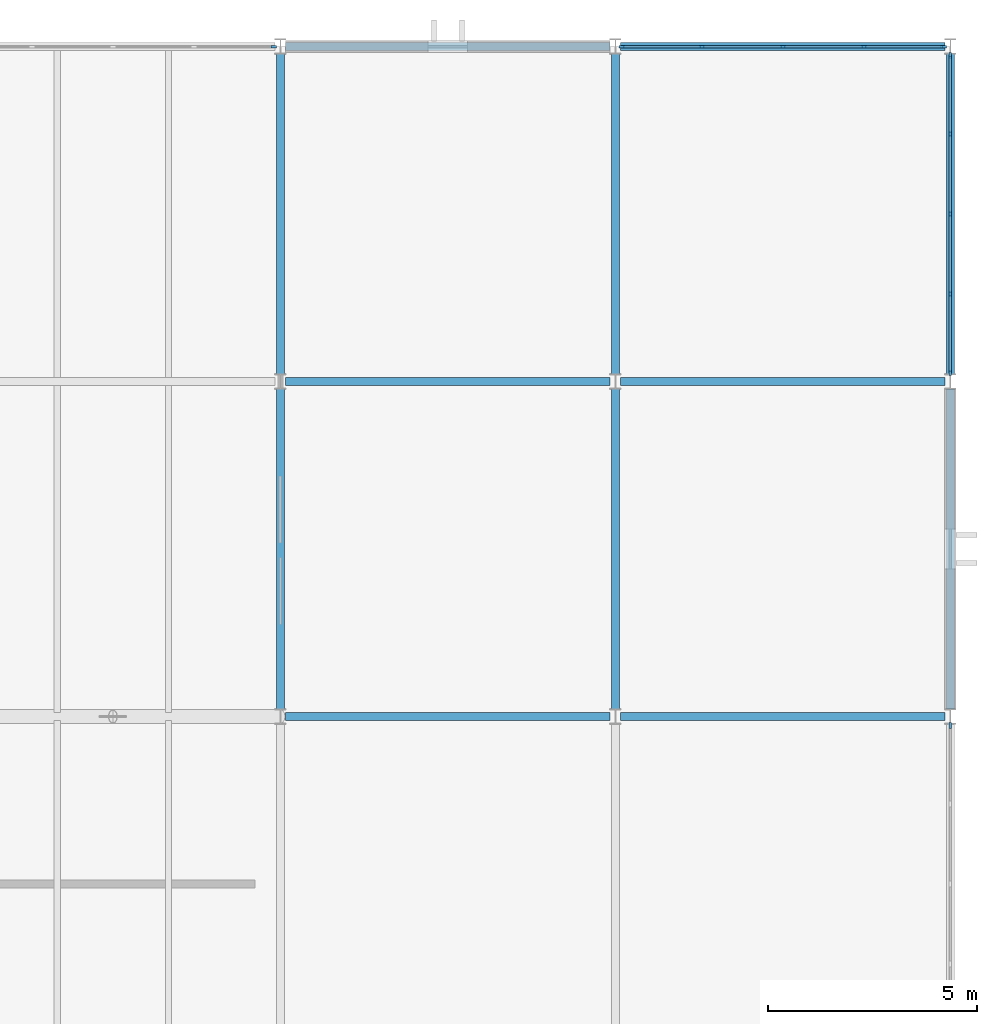
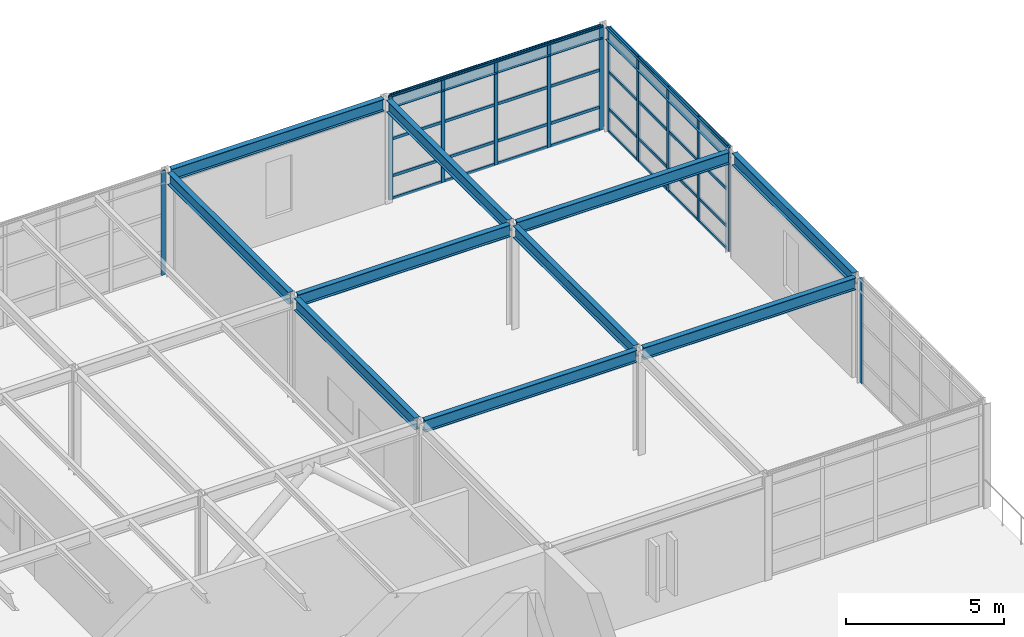
# One storey, part 14 of 21: 44 members, 12 beams, 4 elements without a shape of their own.
"""IFC4 building model written with IfcOpenShell, lengths in metres."""

import ifcopenshell
import ifcopenshell.guid

model = None  # the IFC model being written
_history = None  # IfcOwnerHistory: only IFC2X3 demands one
_inside = {}  # id of a spatial element -> (the spatial element, [elements in it])
_under = {}  # id of a project, library or spatial element -> (it, [spatial elements below it])
_declared = {}  # id of a project -> (the project, [libraries it declares])
_typed = {}  # id of a type object -> (the type object, [elements of that type])
_made_of = {}  # id of a material, layer set ... -> (it, [elements and type objects made of it])


def new_model(schema):
    """Start an empty IFC model of exactly this schema.

    Asked for "IFC4X3", IfcOpenShell would pick the latest addendum, in which some entities
    have other attributes; the version numbers below select the first issue.
    IFC2X3 requires an IfcOwnerHistory on every rooted entity: one is made here for all.
    """
    global model, _history
    if schema == "IFC4X3":
        model = ifcopenshell.file(schema_version=(4, 3, 0, 0))
    else:
        model = ifcopenshell.file(schema=schema)
    _inside.clear()
    _under.clear()
    _declared.clear()
    _typed.clear()
    _made_of.clear()
    _history = None
    if model.schema == "IFC2X3":
        org = make("IfcOrganization", Name="unknown")
        user = make(
            "IfcPersonAndOrganization",
            ThePerson=make("IfcPerson", FamilyName="unknown"),
            TheOrganization=org,
        )
        app = make(
            "IfcApplication",
            ApplicationDeveloper=org,
            Version="unknown",
            ApplicationFullName="unknown",
            ApplicationIdentifier="unknown",
        )
        _history = make(
            "IfcOwnerHistory",
            OwningUser=user,
            OwningApplication=app,
            ChangeAction="ADDED",
            CreationDate=0,
        )
    return model


def make(cls, **values):
    """One entity of the class cls with the attributes given. An attribute that is None is left unset."""
    return model.create_entity(
        cls, **{name: value for name, value in values.items() if value is not None}
    )


def rooted(cls, **values):
    """An entity with a GlobalId (a new one), such as an element, a storey or a relation."""
    return make(cls, GlobalId=ifcopenshell.guid.new(), OwnerHistory=_history, **values)


def si_unit(unit_type, name, prefix=None):
    """IfcSIUnit, for example si_unit("LENGTHUNIT", "METRE", prefix="MILLI")."""
    return make("IfcSIUnit", UnitType=unit_type, Prefix=prefix, Name=name)


def assignment(units):
    """IfcUnitAssignment: the units of a project."""
    return None if units is None else make("IfcUnitAssignment", Units=units)


def point(xyz):
    """IfcCartesianPoint."""
    return None if xyz is None else make("IfcCartesianPoint", Coordinates=xyz)


def direction(xyz):
    """IfcDirection."""
    return None if xyz is None else make("IfcDirection", DirectionRatios=xyz)


def frame(location, z_axis=None, x_axis=None):
    """IfcAxis2Placement3D, a coordinate frame: its origin and axes. An axis left out is left unset."""
    return make(
        "IfcAxis2Placement3D",
        Location=point(location),
        Axis=direction(z_axis),
        RefDirection=direction(x_axis),
    )


def frame_2d(location, x_axis=None):
    """IfcAxis2Placement2D, a coordinate frame in the plane: its origin and x axis."""
    return make(
        "IfcAxis2Placement2D", Location=point(location), RefDirection=direction(x_axis)
    )


def origin():
    """The frame at (0, 0, 0) with its axes left unset."""
    return frame((0.0, 0.0, 0.0))


def origin_2d():
    """The frame at (0, 0) in the plane with its x axis left unset."""
    return frame_2d((0.0, 0.0))


def place(relative_to, where):
    """IfcLocalPlacement: puts the frame where relative to a parent placement (None: the world)."""
    return make(
        "IfcLocalPlacement", PlacementRelTo=relative_to, RelativePlacement=where
    )


def context(
    kind, dimensions, precision=None, world=None, true_north=None, identifier=None
):
    """IfcGeometricRepresentationContext, for example the 3D "Model" context."""
    return make(
        "IfcGeometricRepresentationContext",
        ContextIdentifier=identifier,
        ContextType=kind,
        CoordinateSpaceDimension=dimensions,
        Precision=precision,
        WorldCoordinateSystem=world,
        TrueNorth=true_north,
    )


def subcontext(parent, identifier, kind, view, scale=None):
    """IfcGeometricRepresentationSubContext, for example "Body" below "Model"."""
    return make(
        "IfcGeometricRepresentationSubContext",
        ContextIdentifier=identifier,
        ContextType=kind,
        ParentContext=parent,
        TargetScale=scale,
        TargetView=view,
    )


def project(units=None, contexts=None):
    """IfcProject with its units and contexts."""
    return rooted(
        "IfcProject",
        Name="project",
        RepresentationContexts=contexts,
        UnitsInContext=assignment(units),
    )


def spatial(cls, under=None, at=None, **own):
    """A site, building, storey or space (cls), placed at a placement, below another one or the project."""
    s = rooted(cls, ObjectPlacement=at, **own)
    if under is not None:
        _under.setdefault(under.id(), (under, []))[1].append(s)
    return s


def profile(cls, at=None, kind="AREA", **sizes):
    """A parametric profile (cls). Its sizes go by their IFC names, for example OverallWidth=200.0."""
    return make(cls, ProfileType=kind, Position=at, **sizes)


def rectangle(**sizes):
    """IfcRectangleProfileDef."""
    return profile("IfcRectangleProfileDef", **sizes)


def i_section(**sizes):
    """IfcIShapeProfileDef."""
    return profile("IfcIShapeProfileDef", **sizes)


def extrude(swept, where, along, depth):
    """IfcExtrudedAreaSolid: the profile swept, set in the frame where, extruded along a direction by depth."""
    return make(
        "IfcExtrudedAreaSolid",
        SweptArea=swept,
        Position=where,
        ExtrudedDirection=direction(along),
        Depth=depth,
    )


def shape(context_of_items, identifier, shape_type, items):
    """IfcShapeRepresentation: the items that make up one representation, for example the "Body"."""
    return make(
        "IfcShapeRepresentation",
        ContextOfItems=context_of_items,
        RepresentationIdentifier=identifier,
        RepresentationType=shape_type,
        Items=items,
    )


def material(Name=None, Category=None):
    """IfcMaterial."""
    return make("IfcMaterial", Name=Name, Category=Category)


def layer(
    of_material, thickness, ventilated=None, Name=None, Category=None, Priority=None
):
    """IfcMaterialLayer: one layer of a wall or slab, of a material (None: an air gap)."""
    return make(
        "IfcMaterialLayer",
        Material=of_material,
        LayerThickness=thickness,
        IsVentilated=ventilated,
        Name=Name,
        Category=Category,
        Priority=Priority,
    )


def layer_set(layers, Name=None):
    """IfcMaterialLayerSet."""
    return make("IfcMaterialLayerSet", MaterialLayers=layers, LayerSetName=Name)


def material_profile(
    of_material, cross_section, Name=None, Category=None, Priority=None
):
    """IfcMaterialProfile: a cross section and its material."""
    return make(
        "IfcMaterialProfile",
        Name=Name,
        Material=of_material,
        Profile=cross_section,
        Priority=Priority,
        Category=Category,
    )


def profile_set(profiles, Name=None, composite=None):
    """IfcMaterialProfileSet."""
    return make(
        "IfcMaterialProfileSet",
        Name=Name,
        MaterialProfiles=profiles,
        CompositeProfile=composite,
    )


def made_of(thing, what):
    """Note that an element or type object is made of a material, layer set ...; save() writes the relation."""
    if what is not None:
        _made_of.setdefault(what.id(), (what, []))[1].append(thing)
    return thing


def type_object(cls, material=None, **own):
    """A type object (cls), such as IfcWallType, which elements share."""
    return made_of(rooted(cls, **own), material)


def element(
    cls,
    number,
    at=None,
    inside=None,
    cuts=None,
    type_object=None,
    material=None,
    context=None,
    identifier="Body",
    shape_type=None,
    held_by="IfcProductDefinitionShape",
    body=None,
    shapes=None,
    **own,
):
    """One element of the class cls, such as IfcWall. Its Tag is "e" and its number.

    at: its placement. inside: the storey or other place that contains it. cuts: it is an
    opening in that element (IfcRelVoidsElement). A single representation is given by context,
    identifier, shape_type and body (its items); several are given by shapes. held_by: the class
    of the entity that holds the representations. save() writes the other relations.
    """
    e = rooted(cls, Tag="e%d" % number, ObjectPlacement=at, **own)
    if body is not None:
        shapes = [shape(context, identifier, shape_type, body)]
    if shapes is not None:
        e.Representation = make(held_by, Representations=shapes)
    if inside is not None:
        _inside.setdefault(inside.id(), (inside, []))[1].append(e)
    if cuts is not None:
        rooted(
            "IfcRelVoidsElement", RelatingBuildingElement=cuts, RelatedOpeningElement=e
        )
    if type_object is not None:
        _typed.setdefault(type_object.id(), (type_object, []))[1].append(e)
    return made_of(e, material)


def aggregate(whole, parts):
    """IfcRelAggregates: a whole, such as a stair, and the parts it consists of."""
    return rooted("IfcRelAggregates", RelatingObject=whole, RelatedObjects=parts)


def save(model, path):
    """Write the relations noted so far, then the file.

    IfcRelAggregates (storeys below a building ...), IfcRelContainedInSpatialStructure (elements
    in a storey), IfcRelDefinesByType, IfcRelAssociatesMaterial and IfcRelDeclares: one each for
    every whole, place, type object, material and project.
    """
    for whole, parts in _under.values():
        aggregate(whole, parts)
    for where, things in _inside.values():
        rooted(
            "IfcRelContainedInSpatialStructure",
            RelatedElements=things,
            RelatingStructure=where,
        )
    for kind, things in _typed.values():
        rooted("IfcRelDefinesByType", RelatedObjects=things, RelatingType=kind)
    for what, things in _made_of.values():
        rooted("IfcRelAssociatesMaterial", RelatedObjects=things, RelatingMaterial=what)
    for by, libraries in _declared.values():
        rooted("IfcRelDeclares", RelatingContext=by, RelatedDefinitions=libraries)
    model.write(path)


model = new_model("IFC4")

# Units and contexts
model_context = context("Model", 3, precision=1e-05, world=origin(), true_north=direction((0.0, 1.0)))
body_context = subcontext(model_context, "Body", "Model", "MODEL_VIEW")
ifc_project = project(units=[si_unit("LENGTHUNIT", "METRE"), si_unit("AREAUNIT", "SQUARE_METRE"), si_unit("VOLUMEUNIT", "CUBIC_METRE"), si_unit("PLANEANGLEUNIT", "RADIAN"), si_unit("MASSUNIT", "GRAM", prefix="KILO")], contexts=[model_context])

# Site, building, storey
site_placement = place(None, origin())
site = spatial("IfcSite", under=ifc_project, at=site_placement, CompositionType="ELEMENT")
building_placement = place(site_placement, origin())
building = spatial("IfcBuilding", under=site, at=building_placement, Name="Varnela Railside Interchange", CompositionType="ELEMENT")
storey_placement = place(building_placement, frame((0.0, 0.0, 23.800048828125)))
storey = spatial("IfcBuildingStorey", under=building, at=storey_placement, Name="L05", CompositionType="ELEMENT", Elevation=23.800048828125)

# Beams
ifc_material_1 = material(Name="Steel AR 350 (350 MPa)", Category="steel")
ifc_material_profile_1 = material_profile(ifc_material_1, i_section(OverallWidth=0.19189453125, OverallDepth=0.462890625, WebThickness=0.010498046875, FlangeThickness=0.017578125, at=origin_2d()), Name="W460x89")
ifc_profile_set_1 = profile_set([ifc_material_profile_1], Name="Steel AR 350 (350 MPa)")
beam_type_1 = type_object("IfcBeamType", Name="Composite Primary Beam B-20", PredefinedType="BEAM", material=ifc_profile_set_1)
for number, where, z_axis, x_axis, name in (
    (1, (36.12841796875, 78.0, 3.788330078125), (1.0, 0.0, 0.0), (0.0, 1.0, 0.0), "Composite Primary Beam B-20 (L05) (BM-2588)"),
    (2, (36.12841796875, 86.0, 3.788330078125), (1.0, 0.0, 0.0), (0.0, 1.0, 0.0), "Composite Primary Beam B-20 (L05) (BM-2594)"),
):
    element("IfcBeam", number, at=place(storey_placement, frame(where, z_axis=z_axis, x_axis=x_axis)), inside=storey, type_object=beam_type_1, Name=name, PredefinedType="BEAM", context=body_context, shape_type="SweptSolid", body=[
        extrude(i_section(OverallWidth=0.19189453125, OverallDepth=0.462890625, WebThickness=0.010498046875, FlangeThickness=0.017578125, at=origin_2d()), origin(), (0.0, 0.0, 1.0), 7.7431640625),
    ])
ifc_material_profile_2 = material_profile(ifc_material_1, i_section(OverallWidth=0.18994140625, OverallDepth=0.45703125, WebThickness=0.009033203125, FlangeThickness=0.014404296875, at=origin_2d()), Name="W460x74")
ifc_profile_set_2 = profile_set([ifc_material_profile_2], Name="Steel AR 350 (350 MPa)")
beam_type_2 = type_object("IfcBeamType", Name="Composite Primary Beam B-21", PredefinedType="BEAM", material=ifc_profile_set_2)
for number, where, z_axis, x_axis, name in (
    (3, (36.0, 78.181396484375, 3.79150390625), (0.0, 1.0, 0.0), (-1.0, 0.0, 0.0), "Composite Primary Beam B-21 (L05) (BM-2624)"),
    (4, (44.0, 78.181396484375, 3.79150390625), (0.0, 1.0, 0.0), (-1.0, 0.0, 0.0), "Composite Primary Beam B-21 (L05) (BM-2627)"),
):
    element("IfcBeam", number, at=place(storey_placement, frame(where, z_axis=z_axis, x_axis=x_axis)), inside=storey, type_object=beam_type_2, Name=name, PredefinedType="BEAM", context=body_context, shape_type="SweptSolid", body=[
        extrude(i_section(OverallWidth=0.18994140625, OverallDepth=0.45703125, WebThickness=0.009033203125, FlangeThickness=0.014404296875, at=origin_2d()), origin(), (0.0, 0.0, 1.0), 7.63720703125),
    ])

# Curtain wall, member
ifc_material_2 = material(Name="Aluminium 6063-T6", Category="aluminium")
ifc_layer = layer(ifc_material_2, 0.035888671875)
ifc_layer_set = layer_set([ifc_layer], Name="Aluminium 6063-T6")
curtain_wall_type = type_object("IfcCurtainWallType", Name="Operations Wing Facade Curtain Wall CW-03", PredefinedType="USERDEFINED", material=ifc_layer_set)
curtain_wall_1_placement = place(storey_placement, origin())
curtain_wall_1 = element("IfcCurtainWall", 5, at=curtain_wall_1_placement, inside=storey, type_object=curtain_wall_type, Name="Curtain Wall CW-03 (L05) (CW-127)", ObjectType="CURTAIN WALL", PredefinedType="USERDEFINED")
ifc_material_profile_3 = material_profile(ifc_material_2, rectangle(XDim=0.06005859375, YDim=0.139892578125, at=origin_2d()), Name="ALU 60x140")
ifc_profile_set_3 = profile_set([ifc_material_profile_3], Name="Aluminium 6063-T6")
member_type_1 = type_object("IfcMemberType", Name="Curtain Wall Mullion ML-01", PredefinedType="MULLION", material=ifc_profile_set_3)
member_1_placement = place(storey_placement, frame((35.841552734375, 94.0, 0.0), z_axis=(0.0, 0.0, 1.0), x_axis=(0.0, 1.0, 0.0)))
member_1 = element("IfcMember", 6, at=member_1_placement, type_object=member_type_1, Name="CW-03 mullion 5", PredefinedType="MULLION", context=body_context, shape_type="SweptSolid", body=[
    extrude(rectangle(XDim=0.06005859375, YDim=0.139892578125, at=origin_2d()), origin(), (0.0, 0.0, 1.0), 4.02001953125),
])
aggregate(curtain_wall_1, [member_1])

# Curtain wall, members
curtain_wall_2_placement = place(storey_placement, origin())
curtain_wall_2 = element("IfcCurtainWall", 7, at=curtain_wall_2_placement, inside=storey, type_object=curtain_wall_type, Name="Curtain Wall CW-03 (L05) (CW-128)", ObjectType="CURTAIN WALL", PredefinedType="USERDEFINED")
member_2_placement = place(storey_placement, frame((44.158447265625, 94.0, 0.0), z_axis=(0.0, 0.0, 1.0), x_axis=(0.0, 1.0, 0.0)))
member_2 = element("IfcMember", 8, at=member_2_placement, type_object=member_type_1, Name="CW-03 mullion 1", PredefinedType="MULLION", context=body_context, shape_type="SweptSolid", body=[
    extrude(rectangle(XDim=0.06005859375, YDim=0.139892578125, at=origin_2d()), origin(), (0.0, 0.0, 1.0), 4.02001953125),
])
member_3_placement = place(storey_placement, frame((46.064208984375, 94.0, 0.0), z_axis=(0.0, 0.0, 1.0), x_axis=(0.0, 1.0, 0.0)))
member_3 = element("IfcMember", 9, at=member_3_placement, type_object=member_type_1, Name="CW-03 mullion 2", PredefinedType="MULLION", context=body_context, shape_type="SweptSolid", body=[
    extrude(rectangle(XDim=0.06005859375, YDim=0.139892578125, at=origin_2d()), origin(), (0.0, 0.0, 1.0), 4.02001953125),
])
member_4_placement = place(storey_placement, frame((48.0, 94.0, 0.0), z_axis=(0.0, 0.0, 1.0), x_axis=(0.0, 1.0, 0.0)))
member_4 = element("IfcMember", 10, at=member_4_placement, type_object=member_type_1, Name="CW-03 mullion 3", PredefinedType="MULLION", context=body_context, shape_type="SweptSolid", body=[
    extrude(rectangle(XDim=0.06005859375, YDim=0.139892578125, at=origin_2d()), origin(), (0.0, 0.0, 1.0), 4.02001953125),
])
member_5_placement = place(storey_placement, frame((49.935791015625, 94.0, 0.0), z_axis=(0.0, 0.0, 1.0), x_axis=(0.0, 1.0, 0.0)))
member_5 = element("IfcMember", 11, at=member_5_placement, type_object=member_type_1, Name="CW-03 mullion 4", PredefinedType="MULLION", context=body_context, shape_type="SweptSolid", body=[
    extrude(rectangle(XDim=0.06005859375, YDim=0.139892578125, at=origin_2d()), origin(), (0.0, 0.0, 1.0), 4.02001953125),
])
member_6_placement = place(storey_placement, frame((51.841552734375, 94.0, 0.0), z_axis=(0.0, 0.0, 1.0), x_axis=(0.0, 1.0, 0.0)))
member_6 = element("IfcMember", 12, at=member_6_placement, type_object=member_type_1, Name="CW-03 mullion 5", PredefinedType="MULLION", context=body_context, shape_type="SweptSolid", body=[
    extrude(rectangle(XDim=0.06005859375, YDim=0.139892578125, at=origin_2d()), origin(), (0.0, 0.0, 1.0), 4.02001953125),
])

curtain_wall_3_placement = place(storey_placement, origin())
curtain_wall_3 = element("IfcCurtainWall", 13, at=curtain_wall_3_placement, inside=storey, type_object=curtain_wall_type, Name="Curtain Wall CW-03 (L05) (CW-129)", ObjectType="CURTAIN WALL", PredefinedType="USERDEFINED")
member_7_placement = place(storey_placement, frame((52.0, 93.78857421875, 0.0), z_axis=(0.0, 0.0, 1.0), x_axis=(1.0, 0.0, 0.0)))
member_7 = element("IfcMember", 14, at=member_7_placement, type_object=member_type_1, Name="CW-03 mullion 1", PredefinedType="MULLION", context=body_context, shape_type="SweptSolid", body=[
    extrude(rectangle(XDim=0.06005859375, YDim=0.139892578125, at=origin_2d()), origin(), (0.0, 0.0, 1.0), 4.02001953125),
])
member_8_placement = place(storey_placement, frame((52.0, 91.9091796875, 0.0), z_axis=(0.0, 0.0, 1.0), x_axis=(1.0, 0.0, 0.0)))
member_8 = element("IfcMember", 15, at=member_8_placement, type_object=member_type_1, Name="CW-03 mullion 2", PredefinedType="MULLION", context=body_context, shape_type="SweptSolid", body=[
    extrude(rectangle(XDim=0.06005859375, YDim=0.139892578125, at=origin_2d()), origin(), (0.0, 0.0, 1.0), 4.02001953125),
])
member_9_placement = place(storey_placement, frame((52.0, 90.0, 0.0), z_axis=(0.0, 0.0, 1.0), x_axis=(1.0, 0.0, 0.0)))
member_9 = element("IfcMember", 16, at=member_9_placement, type_object=member_type_1, Name="CW-03 mullion 3", PredefinedType="MULLION", context=body_context, shape_type="SweptSolid", body=[
    extrude(rectangle(XDim=0.06005859375, YDim=0.139892578125, at=origin_2d()), origin(), (0.0, 0.0, 1.0), 4.02001953125),
])
member_10_placement = place(storey_placement, frame((52.0, 88.0908203125, 0.0), z_axis=(0.0, 0.0, 1.0), x_axis=(1.0, 0.0, 0.0)))
member_10 = element("IfcMember", 17, at=member_10_placement, type_object=member_type_1, Name="CW-03 mullion 4", PredefinedType="MULLION", context=body_context, shape_type="SweptSolid", body=[
    extrude(rectangle(XDim=0.06005859375, YDim=0.139892578125, at=origin_2d()), origin(), (0.0, 0.0, 1.0), 4.02001953125),
])
member_11_placement = place(storey_placement, frame((52.0, 86.21142578125, 0.0), z_axis=(0.0, 0.0, 1.0), x_axis=(1.0, 0.0, 0.0)))
member_11 = element("IfcMember", 18, at=member_11_placement, type_object=member_type_1, Name="CW-03 mullion 5", PredefinedType="MULLION", context=body_context, shape_type="SweptSolid", body=[
    extrude(rectangle(XDim=0.06005859375, YDim=0.139892578125, at=origin_2d()), origin(), (0.0, 0.0, 1.0), 4.02001953125),
])

# Curtain wall, member
curtain_wall_4_placement = place(storey_placement, origin())
curtain_wall_4 = element("IfcCurtainWall", 19, at=curtain_wall_4_placement, inside=storey, type_object=curtain_wall_type, Name="Curtain Wall CW-03 (L05) (CW-130)", ObjectType="CURTAIN WALL", PredefinedType="USERDEFINED")
member_12_placement = place(storey_placement, frame((52.0, 77.78857421875, 0.0), z_axis=(0.0, 0.0, 1.0), x_axis=(1.0, 0.0, 0.0)))
member_12 = element("IfcMember", 20, at=member_12_placement, type_object=member_type_1, Name="CW-03 mullion 1", PredefinedType="MULLION", context=body_context, shape_type="SweptSolid", body=[
    extrude(rectangle(XDim=0.06005859375, YDim=0.139892578125, at=origin_2d()), origin(), (0.0, 0.0, 1.0), 4.02001953125),
])
aggregate(curtain_wall_4, [member_12])

# Member
ifc_material_profile_4 = material_profile(ifc_material_2, rectangle(XDim=0.06005859375, YDim=0.110107421875, at=origin_2d()), Name="ALU 60x110")
ifc_profile_set_4 = profile_set([ifc_material_profile_4], Name="Aluminium 6063-T6")
member_type_2 = type_object("IfcMemberType", Name="Curtain Wall Transom TR-01", PredefinedType="USERDEFINED", material=ifc_profile_set_4)
member_13_placement = place(storey_placement, frame((44.1884765625, 94.0, 0.030029296875), z_axis=(1.0, 0.0, 0.0), x_axis=(0.0, 1.0, 0.0)))
member_13 = element("IfcMember", 21, at=member_13_placement, type_object=member_type_2, Name="CW-03 transom 1.1", ObjectType="TRANSOM", PredefinedType="USERDEFINED", context=body_context, shape_type="SweptSolid", body=[
    extrude(rectangle(XDim=0.06005859375, YDim=0.110107421875, at=origin_2d()), origin(), (0.0, 0.0, 1.0), 1.845703125),
])

member_14_placement = place(storey_placement, frame((44.1884765625, 94.0, 0.89990234375), z_axis=(1.0, 0.0, 0.0), x_axis=(0.0, 1.0, 0.0)))
member_14 = element("IfcMember", 22, at=member_14_placement, type_object=member_type_2, Name="CW-03 transom 1.2", ObjectType="TRANSOM", PredefinedType="USERDEFINED", context=body_context, shape_type="SweptSolid", body=[
    extrude(rectangle(XDim=0.06005859375, YDim=0.110107421875, at=origin_2d()), origin(), (0.0, 0.0, 1.0), 1.845703125),
])

member_15_placement = place(storey_placement, frame((44.1884765625, 94.0, 2.33154296875), z_axis=(1.0, 0.0, 0.0), x_axis=(0.0, 1.0, 0.0)))
member_15 = element("IfcMember", 23, at=member_15_placement, type_object=member_type_2, Name="CW-03 transom 1.3", ObjectType="TRANSOM", PredefinedType="USERDEFINED", context=body_context, shape_type="SweptSolid", body=[
    extrude(rectangle(XDim=0.06005859375, YDim=0.110107421875, at=origin_2d()), origin(), (0.0, 0.0, 1.0), 1.845703125),
])

member_16_placement = place(storey_placement, frame((44.1884765625, 94.0, 3.989990234375), z_axis=(1.0, 0.0, 0.0), x_axis=(0.0, 1.0, 0.0)))
member_16 = element("IfcMember", 24, at=member_16_placement, type_object=member_type_2, Name="CW-03 transom 1.4", ObjectType="TRANSOM", PredefinedType="USERDEFINED", context=body_context, shape_type="SweptSolid", body=[
    extrude(rectangle(XDim=0.06005859375, YDim=0.110107421875, at=origin_2d()), origin(), (0.0, 0.0, 1.0), 1.845703125),
])

member_17_placement = place(storey_placement, frame((46.09423828125, 94.0, 0.030029296875), z_axis=(1.0, 0.0, 0.0), x_axis=(0.0, 1.0, 0.0)))
member_17 = element("IfcMember", 25, at=member_17_placement, type_object=member_type_2, Name="CW-03 transom 2.1", ObjectType="TRANSOM", PredefinedType="USERDEFINED", context=body_context, shape_type="SweptSolid", body=[
    extrude(rectangle(XDim=0.06005859375, YDim=0.110107421875, at=origin_2d()), origin(), (0.0, 0.0, 1.0), 1.875732421875),
])

member_18_placement = place(storey_placement, frame((46.09423828125, 94.0, 0.89990234375), z_axis=(1.0, 0.0, 0.0), x_axis=(0.0, 1.0, 0.0)))
member_18 = element("IfcMember", 26, at=member_18_placement, type_object=member_type_2, Name="CW-03 transom 2.2", ObjectType="TRANSOM", PredefinedType="USERDEFINED", context=body_context, shape_type="SweptSolid", body=[
    extrude(rectangle(XDim=0.06005859375, YDim=0.110107421875, at=origin_2d()), origin(), (0.0, 0.0, 1.0), 1.875732421875),
])

member_19_placement = place(storey_placement, frame((46.09423828125, 94.0, 2.33154296875), z_axis=(1.0, 0.0, 0.0), x_axis=(0.0, 1.0, 0.0)))
member_19 = element("IfcMember", 27, at=member_19_placement, type_object=member_type_2, Name="CW-03 transom 2.3", ObjectType="TRANSOM", PredefinedType="USERDEFINED", context=body_context, shape_type="SweptSolid", body=[
    extrude(rectangle(XDim=0.06005859375, YDim=0.110107421875, at=origin_2d()), origin(), (0.0, 0.0, 1.0), 1.875732421875),
])

member_20_placement = place(storey_placement, frame((46.09423828125, 94.0, 3.989990234375), z_axis=(1.0, 0.0, 0.0), x_axis=(0.0, 1.0, 0.0)))
member_20 = element("IfcMember", 28, at=member_20_placement, type_object=member_type_2, Name="CW-03 transom 2.4", ObjectType="TRANSOM", PredefinedType="USERDEFINED", context=body_context, shape_type="SweptSolid", body=[
    extrude(rectangle(XDim=0.06005859375, YDim=0.110107421875, at=origin_2d()), origin(), (0.0, 0.0, 1.0), 1.875732421875),
])

member_21_placement = place(storey_placement, frame((48.030029296875, 94.0, 0.030029296875), z_axis=(1.0, 0.0, 0.0), x_axis=(0.0, 1.0, 0.0)))
member_21 = element("IfcMember", 29, at=member_21_placement, type_object=member_type_2, Name="CW-03 transom 3.1", ObjectType="TRANSOM", PredefinedType="USERDEFINED", context=body_context, shape_type="SweptSolid", body=[
    extrude(rectangle(XDim=0.06005859375, YDim=0.110107421875, at=origin_2d()), origin(), (0.0, 0.0, 1.0), 1.875732421875),
])

member_22_placement = place(storey_placement, frame((48.030029296875, 94.0, 0.89990234375), z_axis=(1.0, 0.0, 0.0), x_axis=(0.0, 1.0, 0.0)))
member_22 = element("IfcMember", 30, at=member_22_placement, type_object=member_type_2, Name="CW-03 transom 3.2", ObjectType="TRANSOM", PredefinedType="USERDEFINED", context=body_context, shape_type="SweptSolid", body=[
    extrude(rectangle(XDim=0.06005859375, YDim=0.110107421875, at=origin_2d()), origin(), (0.0, 0.0, 1.0), 1.875732421875),
])

member_23_placement = place(storey_placement, frame((48.030029296875, 94.0, 2.33154296875), z_axis=(1.0, 0.0, 0.0), x_axis=(0.0, 1.0, 0.0)))
member_23 = element("IfcMember", 31, at=member_23_placement, type_object=member_type_2, Name="CW-03 transom 3.3", ObjectType="TRANSOM", PredefinedType="USERDEFINED", context=body_context, shape_type="SweptSolid", body=[
    extrude(rectangle(XDim=0.06005859375, YDim=0.110107421875, at=origin_2d()), origin(), (0.0, 0.0, 1.0), 1.875732421875),
])

member_24_placement = place(storey_placement, frame((48.030029296875, 94.0, 3.989990234375), z_axis=(1.0, 0.0, 0.0), x_axis=(0.0, 1.0, 0.0)))
member_24 = element("IfcMember", 32, at=member_24_placement, type_object=member_type_2, Name="CW-03 transom 3.4", ObjectType="TRANSOM", PredefinedType="USERDEFINED", context=body_context, shape_type="SweptSolid", body=[
    extrude(rectangle(XDim=0.06005859375, YDim=0.110107421875, at=origin_2d()), origin(), (0.0, 0.0, 1.0), 1.875732421875),
])

member_25_placement = place(storey_placement, frame((49.9658203125, 94.0, 0.030029296875), z_axis=(1.0, 0.0, 0.0), x_axis=(0.0, 1.0, 0.0)))
member_25 = element("IfcMember", 33, at=member_25_placement, type_object=member_type_2, Name="CW-03 transom 4.1", ObjectType="TRANSOM", PredefinedType="USERDEFINED", context=body_context, shape_type="SweptSolid", body=[
    extrude(rectangle(XDim=0.06005859375, YDim=0.110107421875, at=origin_2d()), origin(), (0.0, 0.0, 1.0), 1.845703125),
])

member_26_placement = place(storey_placement, frame((49.9658203125, 94.0, 0.89990234375), z_axis=(1.0, 0.0, 0.0), x_axis=(0.0, 1.0, 0.0)))
member_26 = element("IfcMember", 34, at=member_26_placement, type_object=member_type_2, Name="CW-03 transom 4.2", ObjectType="TRANSOM", PredefinedType="USERDEFINED", context=body_context, shape_type="SweptSolid", body=[
    extrude(rectangle(XDim=0.06005859375, YDim=0.110107421875, at=origin_2d()), origin(), (0.0, 0.0, 1.0), 1.845703125),
])

member_27_placement = place(storey_placement, frame((49.9658203125, 94.0, 2.33154296875), z_axis=(1.0, 0.0, 0.0), x_axis=(0.0, 1.0, 0.0)))
member_27 = element("IfcMember", 35, at=member_27_placement, type_object=member_type_2, Name="CW-03 transom 4.3", ObjectType="TRANSOM", PredefinedType="USERDEFINED", context=body_context, shape_type="SweptSolid", body=[
    extrude(rectangle(XDim=0.06005859375, YDim=0.110107421875, at=origin_2d()), origin(), (0.0, 0.0, 1.0), 1.845703125),
])

member_28_placement = place(storey_placement, frame((49.9658203125, 94.0, 3.989990234375), z_axis=(1.0, 0.0, 0.0), x_axis=(0.0, 1.0, 0.0)))
member_28 = element("IfcMember", 36, at=member_28_placement, type_object=member_type_2, Name="CW-03 transom 4.4", ObjectType="TRANSOM", PredefinedType="USERDEFINED", context=body_context, shape_type="SweptSolid", body=[
    extrude(rectangle(XDim=0.06005859375, YDim=0.110107421875, at=origin_2d()), origin(), (0.0, 0.0, 1.0), 1.845703125),
])

aggregate(curtain_wall_2, [member_2, member_3, member_4, member_5, member_6, member_13, member_14, member_15, member_16, member_17, member_18, member_19, member_20, member_21, member_22, member_23, member_24, member_25, member_26, member_27, member_28])

member_29_placement = place(storey_placement, frame((52.0, 93.758544921875, 0.030029296875), z_axis=(0.0, -1.0, 0.0), x_axis=(1.0, 0.0, 0.0)))
member_29 = element("IfcMember", 37, at=member_29_placement, type_object=member_type_2, Name="CW-03 transom 1.1", ObjectType="TRANSOM", PredefinedType="USERDEFINED", context=body_context, shape_type="SweptSolid", body=[
    extrude(rectangle(XDim=0.06005859375, YDim=0.110107421875, at=origin_2d()), origin(), (0.0, 0.0, 1.0), 1.8193359375),
])

member_30_placement = place(storey_placement, frame((52.0, 93.758544921875, 0.89990234375), z_axis=(0.0, -1.0, 0.0), x_axis=(1.0, 0.0, 0.0)))
member_30 = element("IfcMember", 38, at=member_30_placement, type_object=member_type_2, Name="CW-03 transom 1.2", ObjectType="TRANSOM", PredefinedType="USERDEFINED", context=body_context, shape_type="SweptSolid", body=[
    extrude(rectangle(XDim=0.06005859375, YDim=0.110107421875, at=origin_2d()), origin(), (0.0, 0.0, 1.0), 1.8193359375),
])

member_31_placement = place(storey_placement, frame((52.0, 93.758544921875, 2.33154296875), z_axis=(0.0, -1.0, 0.0), x_axis=(1.0, 0.0, 0.0)))
member_31 = element("IfcMember", 39, at=member_31_placement, type_object=member_type_2, Name="CW-03 transom 1.3", ObjectType="TRANSOM", PredefinedType="USERDEFINED", context=body_context, shape_type="SweptSolid", body=[
    extrude(rectangle(XDim=0.06005859375, YDim=0.110107421875, at=origin_2d()), origin(), (0.0, 0.0, 1.0), 1.8193359375),
])

member_32_placement = place(storey_placement, frame((52.0, 93.758544921875, 3.989990234375), z_axis=(0.0, -1.0, 0.0), x_axis=(1.0, 0.0, 0.0)))
member_32 = element("IfcMember", 40, at=member_32_placement, type_object=member_type_2, Name="CW-03 transom 1.4", ObjectType="TRANSOM", PredefinedType="USERDEFINED", context=body_context, shape_type="SweptSolid", body=[
    extrude(rectangle(XDim=0.06005859375, YDim=0.110107421875, at=origin_2d()), origin(), (0.0, 0.0, 1.0), 1.8193359375),
])

member_33_placement = place(storey_placement, frame((52.0, 91.879150390625, 0.030029296875), z_axis=(0.0, -1.0, 0.0), x_axis=(1.0, 0.0, 0.0)))
member_33 = element("IfcMember", 41, at=member_33_placement, type_object=member_type_2, Name="CW-03 transom 2.1", ObjectType="TRANSOM", PredefinedType="USERDEFINED", context=body_context, shape_type="SweptSolid", body=[
    extrude(rectangle(XDim=0.06005859375, YDim=0.110107421875, at=origin_2d()), origin(), (0.0, 0.0, 1.0), 1.84912109375),
])

member_34_placement = place(storey_placement, frame((52.0, 91.879150390625, 0.89990234375), z_axis=(0.0, -1.0, 0.0), x_axis=(1.0, 0.0, 0.0)))
member_34 = element("IfcMember", 42, at=member_34_placement, type_object=member_type_2, Name="CW-03 transom 2.2", ObjectType="TRANSOM", PredefinedType="USERDEFINED", context=body_context, shape_type="SweptSolid", body=[
    extrude(rectangle(XDim=0.06005859375, YDim=0.110107421875, at=origin_2d()), origin(), (0.0, 0.0, 1.0), 1.84912109375),
])

member_35_placement = place(storey_placement, frame((52.0, 91.879150390625, 2.33154296875), z_axis=(0.0, -1.0, 0.0), x_axis=(1.0, 0.0, 0.0)))
member_35 = element("IfcMember", 43, at=member_35_placement, type_object=member_type_2, Name="CW-03 transom 2.3", ObjectType="TRANSOM", PredefinedType="USERDEFINED", context=body_context, shape_type="SweptSolid", body=[
    extrude(rectangle(XDim=0.06005859375, YDim=0.110107421875, at=origin_2d()), origin(), (0.0, 0.0, 1.0), 1.84912109375),
])

member_36_placement = place(storey_placement, frame((52.0, 91.879150390625, 3.989990234375), z_axis=(0.0, -1.0, 0.0), x_axis=(1.0, 0.0, 0.0)))
member_36 = element("IfcMember", 44, at=member_36_placement, type_object=member_type_2, Name="CW-03 transom 2.4", ObjectType="TRANSOM", PredefinedType="USERDEFINED", context=body_context, shape_type="SweptSolid", body=[
    extrude(rectangle(XDim=0.06005859375, YDim=0.110107421875, at=origin_2d()), origin(), (0.0, 0.0, 1.0), 1.84912109375),
])

member_37_placement = place(storey_placement, frame((52.0, 89.969970703125, 0.030029296875), z_axis=(0.0, -1.0, 0.0), x_axis=(1.0, 0.0, 0.0)))
member_37 = element("IfcMember", 45, at=member_37_placement, type_object=member_type_2, Name="CW-03 transom 3.1", ObjectType="TRANSOM", PredefinedType="USERDEFINED", context=body_context, shape_type="SweptSolid", body=[
    extrude(rectangle(XDim=0.06005859375, YDim=0.110107421875, at=origin_2d()), origin(), (0.0, 0.0, 1.0), 1.84912109375),
])

member_38_placement = place(storey_placement, frame((52.0, 89.969970703125, 0.89990234375), z_axis=(0.0, -1.0, 0.0), x_axis=(1.0, 0.0, 0.0)))
member_38 = element("IfcMember", 46, at=member_38_placement, type_object=member_type_2, Name="CW-03 transom 3.2", ObjectType="TRANSOM", PredefinedType="USERDEFINED", context=body_context, shape_type="SweptSolid", body=[
    extrude(rectangle(XDim=0.06005859375, YDim=0.110107421875, at=origin_2d()), origin(), (0.0, 0.0, 1.0), 1.84912109375),
])

member_39_placement = place(storey_placement, frame((52.0, 89.969970703125, 2.33154296875), z_axis=(0.0, -1.0, 0.0), x_axis=(1.0, 0.0, 0.0)))
member_39 = element("IfcMember", 47, at=member_39_placement, type_object=member_type_2, Name="CW-03 transom 3.3", ObjectType="TRANSOM", PredefinedType="USERDEFINED", context=body_context, shape_type="SweptSolid", body=[
    extrude(rectangle(XDim=0.06005859375, YDim=0.110107421875, at=origin_2d()), origin(), (0.0, 0.0, 1.0), 1.84912109375),
])

member_40_placement = place(storey_placement, frame((52.0, 89.969970703125, 3.989990234375), z_axis=(0.0, -1.0, 0.0), x_axis=(1.0, 0.0, 0.0)))
member_40 = element("IfcMember", 48, at=member_40_placement, type_object=member_type_2, Name="CW-03 transom 3.4", ObjectType="TRANSOM", PredefinedType="USERDEFINED", context=body_context, shape_type="SweptSolid", body=[
    extrude(rectangle(XDim=0.06005859375, YDim=0.110107421875, at=origin_2d()), origin(), (0.0, 0.0, 1.0), 1.84912109375),
])

member_41_placement = place(storey_placement, frame((52.0, 88.060791015625, 0.030029296875), z_axis=(0.0, -1.0, 0.0), x_axis=(1.0, 0.0, 0.0)))
member_41 = element("IfcMember", 49, at=member_41_placement, type_object=member_type_2, Name="CW-03 transom 4.1", ObjectType="TRANSOM", PredefinedType="USERDEFINED", context=body_context, shape_type="SweptSolid", body=[
    extrude(rectangle(XDim=0.06005859375, YDim=0.110107421875, at=origin_2d()), origin(), (0.0, 0.0, 1.0), 1.8193359375),
])

member_42_placement = place(storey_placement, frame((52.0, 88.060791015625, 0.89990234375), z_axis=(0.0, -1.0, 0.0), x_axis=(1.0, 0.0, 0.0)))
member_42 = element("IfcMember", 50, at=member_42_placement, type_object=member_type_2, Name="CW-03 transom 4.2", ObjectType="TRANSOM", PredefinedType="USERDEFINED", context=body_context, shape_type="SweptSolid", body=[
    extrude(rectangle(XDim=0.06005859375, YDim=0.110107421875, at=origin_2d()), origin(), (0.0, 0.0, 1.0), 1.8193359375),
])

member_43_placement = place(storey_placement, frame((52.0, 88.060791015625, 2.33154296875), z_axis=(0.0, -1.0, 0.0), x_axis=(1.0, 0.0, 0.0)))
member_43 = element("IfcMember", 51, at=member_43_placement, type_object=member_type_2, Name="CW-03 transom 4.3", ObjectType="TRANSOM", PredefinedType="USERDEFINED", context=body_context, shape_type="SweptSolid", body=[
    extrude(rectangle(XDim=0.06005859375, YDim=0.110107421875, at=origin_2d()), origin(), (0.0, 0.0, 1.0), 1.8193359375),
])

member_44_placement = place(storey_placement, frame((52.0, 88.060791015625, 3.989990234375), z_axis=(0.0, -1.0, 0.0), x_axis=(1.0, 0.0, 0.0)))
member_44 = element("IfcMember", 52, at=member_44_placement, type_object=member_type_2, Name="CW-03 transom 4.4", ObjectType="TRANSOM", PredefinedType="USERDEFINED", context=body_context, shape_type="SweptSolid", body=[
    extrude(rectangle(XDim=0.06005859375, YDim=0.110107421875, at=origin_2d()), origin(), (0.0, 0.0, 1.0), 1.8193359375),
])

aggregate(curtain_wall_3, [member_7, member_8, member_9, member_10, member_11, member_29, member_30, member_31, member_32, member_33, member_34, member_35, member_36, member_37, member_38, member_39, member_40, member_41, member_42, member_43, member_44])

# Beams
ifc_material_profile_5 = material_profile(ifc_material_1, i_section(OverallWidth=0.19091796875, OverallDepth=0.4599609375, WebThickness=0.010009765625, FlangeThickness=0.01611328125, at=origin_2d()), Name="W460x82")
ifc_profile_set_5 = profile_set([ifc_material_profile_5], Name="Steel AR 350 (350 MPa)")
beam_type_3 = type_object("IfcBeamType", Name="Steel Perimeter Spandrel SP-01", PredefinedType="SPANDREL", material=ifc_profile_set_5)
for number, where, z_axis, x_axis, name in (
    (53, (44.12841796875, 78.0, 3.7900390625), (1.0, 0.0, 0.0), (0.0, 1.0, 0.0), "Steel Perimeter Spandrel SP-01 (L05) (BM-2589)"),
    (54, (44.12841796875, 86.0, 3.7900390625), (1.0, 0.0, 0.0), (0.0, 1.0, 0.0), "Steel Perimeter Spandrel SP-01 (L05) (BM-2595)"),
    (55, (36.12841796875, 94.0, 3.7900390625), (1.0, 0.0, 0.0), (0.0, 1.0, 0.0), "Steel Perimeter Spandrel SP-01 (L05) (BM-2600)"),
    (56, (44.12841796875, 94.0, 3.7900390625), (1.0, 0.0, 0.0), (0.0, 1.0, 0.0), "Steel Perimeter Spandrel SP-01 (L05) (BM-2601)"),
):
    element("IfcBeam", number, at=place(storey_placement, frame(where, z_axis=z_axis, x_axis=x_axis)), inside=storey, type_object=beam_type_3, Name=name, PredefinedType="SPANDREL", context=body_context, shape_type="SweptSolid", body=[
        extrude(i_section(OverallWidth=0.19091796875, OverallDepth=0.4599609375, WebThickness=0.010009765625, FlangeThickness=0.01611328125, at=origin_2d()), origin(), (0.0, 0.0, 1.0), 7.7431640625),
    ])
for number, where, z_axis, x_axis, name in (
    (57, (36.0, 86.181396484375, 3.7900390625), (0.0, 1.0, 0.0), (-1.0, 0.0, 0.0), "Steel Perimeter Spandrel SP-01 (L05) (BM-2625)"),
    (58, (44.0, 86.181396484375, 3.7900390625), (0.0, 1.0, 0.0), (-1.0, 0.0, 0.0), "Steel Perimeter Spandrel SP-01 (L05) (BM-2628)"),
    (59, (52.0, 78.181396484375, 3.7900390625), (0.0, 1.0, 0.0), (-1.0, 0.0, 0.0), "Steel Perimeter Spandrel SP-01 (L05) (BM-2630)"),
    (60, (52.0, 86.181396484375, 3.7900390625), (0.0, 1.0, 0.0), (-1.0, 0.0, 0.0), "Steel Perimeter Spandrel SP-01 (L05) (BM-2631)"),
):
    element("IfcBeam", number, at=place(storey_placement, frame(where, z_axis=z_axis, x_axis=x_axis)), inside=storey, type_object=beam_type_3, Name=name, PredefinedType="SPANDREL", context=body_context, shape_type="SweptSolid", body=[
        extrude(i_section(OverallWidth=0.19091796875, OverallDepth=0.4599609375, WebThickness=0.010009765625, FlangeThickness=0.01611328125, at=origin_2d()), origin(), (0.0, 0.0, 1.0), 7.63720703125),
    ])

save(model, "model.ifc")
